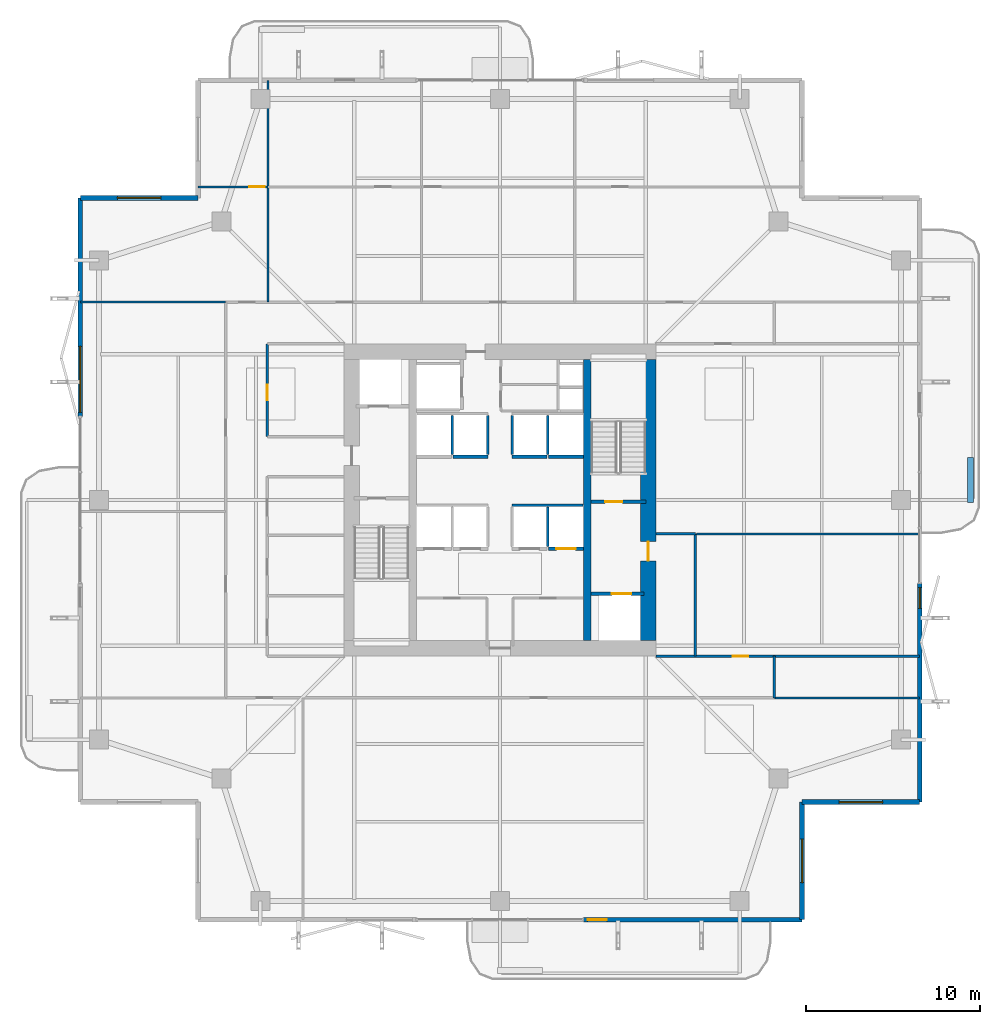
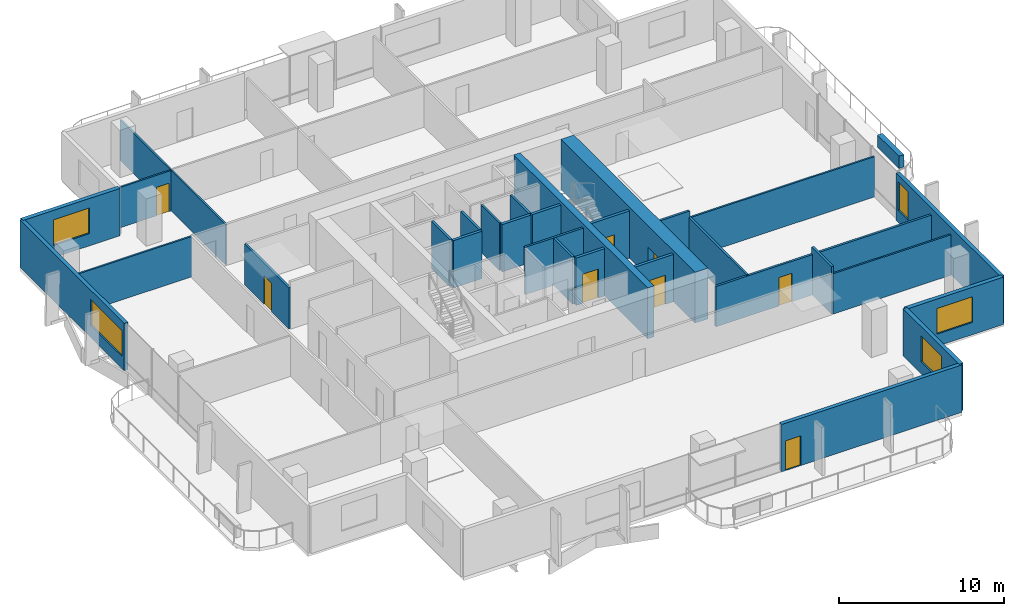
# One storey, part 19 of 25: 31 walls, 8 doors, 5 windows, 13 openings.
"""IFC4 building model written with IfcOpenShell, lengths in metres."""

from ifc_helpers import new_model, si_unit, direction, frame, frame_2d, origin, place, context, subcontext, project, spatial, rectangle, extrude, material, layer, layer_set, type_object, element, fill, save


model = new_model("IFC4")

# Units and contexts
model_context = context("Model", 3, precision=1e-05, world=origin(), true_north=direction((0.0, 1.0)))
body_context = subcontext(model_context, "Body", "Model", "MODEL_VIEW")
ifc_project = project(units=[si_unit("LENGTHUNIT", "METRE"), si_unit("AREAUNIT", "SQUARE_METRE"), si_unit("VOLUMEUNIT", "CUBIC_METRE"), si_unit("PLANEANGLEUNIT", "RADIAN"), si_unit("MASSUNIT", "GRAM", prefix="KILO")], contexts=[model_context])

# Site, building, storey
site_placement = place(None, origin())
site = spatial("IfcSite", under=ifc_project, at=site_placement, CompositionType="ELEMENT")
building_placement = place(site_placement, origin())
building = spatial("IfcBuilding", under=site, at=building_placement, Name="Belovzor Exchange Tower", CompositionType="ELEMENT")
storey_placement = place(building_placement, frame((0.0, 0.0, 164.550048828125)))
storey = spatial("IfcBuildingStorey", under=building, at=storey_placement, Name="L40", CompositionType="ELEMENT", Elevation=164.550048828125)

# Wall, opening, door
ifc_material_1 = material(Name="Acoustic Plasterboard on Galvanised Studs", Category="gypsum")
ifc_layer_1 = layer(ifc_material_1, 0.1201171875)
ifc_layer_set_1 = layer_set([ifc_layer_1], Name="Acoustic Plasterboard on Galvanised Studs")
wall_type_1 = type_object("IfcWallType", Name="Acoustic Double-Stud Partition Wall 120", PredefinedType="PARTITIONING", material=ifc_layer_set_1)
wall_1_placement = place(storey_placement, frame((11.39990234375, 46.833984375, 0.0), z_axis=(0.0, 0.0, 1.0), x_axis=(1.0, 0.0, 0.0)))
wall_1 = element("IfcWall", 1, at=wall_1_placement, inside=storey, type_object=wall_type_1, Name="W-P120 Partition Wall W-L40-NHDIV-0", PredefinedType="PARTITIONING", context=body_context, shape_type="SweptSolid", body=[
    extrude(rectangle(XDim=4.043212890625, YDim=0.1201171875, at=frame_2d((2.021484375, 0.0))), origin(), (0.0, 0.0, 1.0), 2.97998046875),
])
opening_1_placement = place(wall_1_placement, frame((2.943115234375, 0.0, 0.0)))
opening_1 = element("IfcOpeningElement", 2, at=opening_1_placement, cuts=wall_1, Name="Opening D-INT-090", PredefinedType="OPENING", context=body_context, shape_type="SweptSolid", body=[
    extrude(rectangle(XDim=0.89990234375, YDim=2.10009765625, at=frame_2d((0.449951171875, 1.050048828125))), frame((0.0, 0.070068359375, 0.0), z_axis=(0.0, -1.0, 0.0), x_axis=(1.0, 0.0, 0.0)), (0.0, 0.0, 1.0), 0.14013671875),
])
ifc_material_2 = material(Name="Veneered Hardwood Acoustic Leaf", Category="wood")
door_type_1 = type_object("IfcDoorType", Name="Trading Suite Acoustic Single Door 900x2100", OperationType="NOTDEFINED", PredefinedType="DOOR", material=ifc_material_2)
door_1_placement = place(opening_1_placement, origin())
door_1 = element("IfcDoor", 3, at=door_1_placement, inside=storey, type_object=door_type_1, Name="D-INT-090 Trading Suite Acoustic Single Door 900x2100", OperationType="SINGLE_SWING_RIGHT", OverallHeight=2.10009765625, OverallWidth=0.89990234375, PredefinedType="DOOR", context=body_context, shape_type="SweptSolid", body=[
    extrude(rectangle(XDim=0.89990234375, YDim=2.10009765625, at=frame_2d((0.449951171875, 1.050048828125))), frame((0.0, 0.02490234375, 0.0), z_axis=(0.0, -1.0, 0.0), x_axis=(1.0, 0.0, 0.0)), (0.0, 0.0, 1.0), 0.050048828125),
])
fill(opening_1, door_1)

# Walls
wall_2_placement = place(storey_placement, frame((15.443115234375, 40.199951171875, 0.0), z_axis=(0.0, 0.0, 1.0), x_axis=(0.0, 1.0, 0.0)))
element("IfcWall", 4, at=wall_2_placement, inside=storey, type_object=wall_type_1, Name="W-P120 Partition Wall W-L40-NDIV-1", PredefinedType="PARTITIONING", context=body_context, shape_type="SweptSolid", body=[
    extrude(rectangle(XDim=12.77001953125, YDim=0.1201171875, at=frame_2d((6.385009765625, 0.0))), origin(), (0.0, 0.0, 1.0), 2.97998046875),
])
wall_3_placement = place(storey_placement, frame((40.125, 26.85009765625, 0.0), z_axis=(0.0, 0.0, 1.0), x_axis=(1.0, 0.0, 0.0)))
element("IfcWall", 5, at=wall_3_placement, inside=storey, type_object=wall_type_1, Name="W-P120 Partition Wall W-L40-EDIV-1", PredefinedType="PARTITIONING", context=body_context, shape_type="SweptSolid", body=[
    extrude(rectangle(XDim=12.844970703125, YDim=0.1201171875, at=frame_2d((6.42236328125, 0.0))), origin(), (0.0, 0.0, 1.0), 2.97998046875),
])
wall_4_placement = place(storey_placement, frame((44.60009765625, 17.39990234375, 0.0), z_axis=(0.0, 0.0, 1.0), x_axis=(1.0, 0.0, 0.0)))
element("IfcWall", 6, at=wall_4_placement, inside=storey, type_object=wall_type_1, Name="W-P120 Partition Wall W-L40-END-SE", PredefinedType="PARTITIONING", context=body_context, shape_type="SweptSolid", body=[
    extrude(rectangle(XDim=8.369873046875, YDim=0.1201171875, at=frame_2d((4.18505859375, 0.0))), origin(), (0.0, 0.0, 1.0), 2.97998046875),
])
wall_5_placement = place(storey_placement, frame((4.6298828125, 40.199951171875, 0.0), z_axis=(0.0, 0.0, 1.0), x_axis=(1.0, 0.0, 0.0)))
element("IfcWall", 7, at=wall_5_placement, inside=storey, type_object=wall_type_1, Name="W-P120 Partition Wall W-L40-END-NW", PredefinedType="PARTITIONING", context=body_context, shape_type="SweptSolid", body=[
    extrude(rectangle(XDim=8.3701171875, YDim=0.1201171875, at=frame_2d((4.18505859375, 0.0))), origin(), (0.0, 0.0, 1.0), 2.97998046875),
])

# Wall, opening, door
ifc_material_3 = material(Name="Fire-Rated Gypsum Block and Mineral Wool", Category="gypsum")
ifc_layer_2 = layer(ifc_material_3, 0.14990234375)
ifc_layer_set_2 = layer_set([ifc_layer_2], Name="Fire-Rated Gypsum Block and Mineral Wool")
wall_type_2 = type_object("IfcWallType", Name="Fire-Rated Gypsum Block Corridor Wall 150", PredefinedType="PARTITIONING", material=ifc_layer_set_2)
wall_6_placement = place(storey_placement, frame((15.39990234375, 32.449951171875, 0.0), z_axis=(0.0, 0.0, 1.0), x_axis=(0.0, 1.0, 0.0)))
wall_6 = element("IfcWall", 8, at=wall_6_placement, inside=storey, type_object=wall_type_2, Name="W-P150 Partition Wall W-L40-WIE-N", PredefinedType="PARTITIONING", context=body_context, shape_type="SweptSolid", body=[
    extrude(rectangle(XDim=5.35009765625, YDim=0.14990234375, at=frame_2d((2.675048828125, 0.0))), origin(), (0.0, 0.0, 1.0), 3.030029296875),
])
opening_2_placement = place(wall_6_placement, frame((2.10009765625, 0.0, 0.0)))
opening_2 = element("IfcOpeningElement", 9, at=opening_2_placement, cuts=wall_6, Name="Opening D-FD60-090", PredefinedType="OPENING", context=body_context, shape_type="SweptSolid", body=[
    extrude(rectangle(XDim=0.89990234375, YDim=2.10009765625, at=frame_2d((0.449951171875, 1.050048828125))), frame((0.0, 0.0849609375, 0.0), z_axis=(0.0, -1.0, 0.0), x_axis=(1.0, 0.0, 0.0)), (0.0, 0.0, 1.0), 0.169921875),
])
ifc_material_4 = material(Name="Acoustic Timber Fire Leaf", Category="wood")
door_type_2 = type_object("IfcDoorType", Name="Core Service & Restroom Fire Door 900x2100", OperationType="NOTDEFINED", PredefinedType="DOOR", material=ifc_material_4)
door_2_placement = place(opening_2_placement, origin())
door_2 = element("IfcDoor", 10, at=door_2_placement, inside=storey, type_object=door_type_2, Name="D-FD60-090 Core Service & Restroom Fire Door 900x2100", OperationType="SINGLE_SWING_LEFT", OverallHeight=2.10009765625, OverallWidth=0.89990234375, PredefinedType="DOOR", context=body_context, shape_type="SweptSolid", body=[
    extrude(rectangle(XDim=0.89990234375, YDim=2.10009765625, at=frame_2d((0.449951171875, 1.050048828125))), frame((0.0, 0.02490234375, 0.0), z_axis=(0.0, -1.0, 0.0), x_axis=(1.0, 0.0, 0.0)), (0.0, 0.0, 1.0), 0.050048828125),
])
fill(opening_2, door_2)

# Walls
wall_7_placement = place(storey_placement, frame((37.800048828125, 26.85009765625, 0.0), z_axis=(0.0, 0.0, 1.0), x_axis=(1.0, 0.0, 0.0)))
element("IfcWall", 11, at=wall_7_placement, inside=storey, type_object=wall_type_2, Name="W-P150 Partition Wall W-L40-CFE-N", PredefinedType="PARTITIONING", context=body_context, shape_type="SweptSolid", body=[
    extrude(rectangle(XDim=2.25, YDim=0.14990234375, at=frame_2d((1.125, 0.0))), origin(), (0.0, 0.0, 1.0), 3.494873046875),
])
wall_8_placement = place(storey_placement, frame((40.050048828125, 19.800048828125, 0.0), z_axis=(0.0, 0.0, 1.0), x_axis=(0.0, 1.0, 0.0)))
element("IfcWall", 12, at=wall_8_placement, inside=storey, type_object=wall_type_2, Name="W-P150 Partition Wall W-L40-CFE-E", PredefinedType="PARTITIONING", context=body_context, shape_type="SweptSolid", body=[
    extrude(rectangle(XDim=7.050048828125, YDim=0.14990234375, at=frame_2d((3.52490234375, 0.0))), origin(), (0.0, 0.0, 1.0), 3.030029296875),
])
wall_9_placement = place(storey_placement, frame((44.60009765625, 17.39990234375, 0.0), z_axis=(0.0, 0.0, 1.0), x_axis=(0.0, 1.0, 0.0)))
element("IfcWall", 13, at=wall_9_placement, inside=storey, type_object=wall_type_2, Name="W-P150 Partition Wall W-L40-END-ES", PredefinedType="PARTITIONING", context=body_context, shape_type="SweptSolid", body=[
    extrude(rectangle(XDim=2.400146484375, YDim=0.14990234375, at=frame_2d((1.2001953125, 0.0))), origin(), (0.0, 0.0, 1.0), 3.494873046875),
])

# Wall, opening, door
wall_10_placement = place(storey_placement, frame((37.800048828125, 19.800048828125, 0.0), z_axis=(0.0, 0.0, 1.0), x_axis=(1.0, 0.0, 0.0)))
wall_10 = element("IfcWall", 14, at=wall_10_placement, inside=storey, type_object=wall_type_2, Name="W-P150 Partition Wall W-L40-CS-IN", PredefinedType="PARTITIONING", context=body_context, shape_type="SweptSolid", body=[
    extrude(rectangle(XDim=15.169921875, YDim=0.14990234375, at=frame_2d((7.5849609375, 0.0))), origin(), (0.0, 0.0, 1.0), 2.97998046875),
])
opening_3_placement = place(wall_10_placement, frame((4.39990234375, 0.0, 0.0)))
opening_3 = element("IfcOpeningElement", 15, at=opening_3_placement, cuts=wall_10, Name="Opening D-INT-090", PredefinedType="OPENING", context=body_context, shape_type="SweptSolid", body=[
    extrude(rectangle(XDim=0.89990234375, YDim=2.10009765625, at=frame_2d((0.449951171875, 1.050048828125))), frame((0.0, 0.0849609375, 0.0), z_axis=(0.0, -1.0, 0.0), x_axis=(1.0, 0.0, 0.0)), (0.0, 0.0, 1.0), 0.169921875),
])
door_3_placement = place(opening_3_placement, origin())
door_3 = element("IfcDoor", 16, at=door_3_placement, inside=storey, type_object=door_type_1, Name="D-INT-090 Trading Suite Acoustic Single Door 900x2100", OperationType="SINGLE_SWING_LEFT", OverallHeight=2.10009765625, OverallWidth=0.89990234375, PredefinedType="DOOR", context=body_context, shape_type="SweptSolid", body=[
    extrude(rectangle(XDim=0.89990234375, YDim=2.10009765625, at=frame_2d((0.449951171875, 1.050048828125))), frame((0.0, 0.02490234375, 0.0), z_axis=(0.0, -1.0, 0.0), x_axis=(1.0, 0.0, 0.0)), (0.0, 0.0, 1.0), 0.050048828125),
])
fill(opening_3, door_3)

# Wall, opening, window
ifc_material_5 = material(Name="Precast concrete C40/50", Category="concrete")
ifc_layer_3 = layer(ifc_material_5, 0.280029296875)
ifc_layer_set_3 = layer_set([ifc_layer_3], Name="Precast concrete C40/50")
wall_type_3 = type_object("IfcWallType", Name="Precast Concrete Notched Corner Frame Wall 280", PredefinedType="SOLIDWALL", material=ifc_layer_set_3)
wall_11_placement = place(storey_placement, frame((4.6298828125, 46.199951171875, 0.0), z_axis=(0.0, 0.0, 1.0), x_axis=(1.0, 0.0, 0.0)))
wall_11 = element("IfcWall", 17, at=wall_11_placement, inside=storey, type_object=wall_type_3, Name="W-CRN280 Precast Concrete Notched Corner Frame Wall 280 L40", PredefinedType="SOLIDWALL", context=body_context, shape_type="SweptSolid", body=[
    extrude(rectangle(XDim=6.77001953125, YDim=0.280029296875, at=frame_2d((3.385009765625, 0.0))), origin(), (0.0, 0.0, 1.0), 3.494873046875),
])
opening_4_placement = place(wall_11_placement, frame((2.135009765625, 0.0, 0.89990234375)))
opening_4 = element("IfcOpeningElement", 18, at=opening_4_placement, cuts=wall_11, Name="Opening WN-CRN250", PredefinedType="OPENING", context=body_context, shape_type="SweptSolid", body=[
    extrude(rectangle(XDim=2.5, YDim=1.89990234375, at=frame_2d((1.25, 0.949951171875))), frame((0.0, 0.14990234375, 0.0), z_axis=(0.0, -1.0, 0.0), x_axis=(1.0, 0.0, 0.0)), (0.0, 0.0, 1.0), 0.300048828125),
])
ifc_material_6 = material(Name="Thermally Broken Aluminium and Triple Glazing", Category="aluminium")
window_type_1 = type_object("IfcWindowType", Name="Streamline Moderne Corner Wrap Ribbon Window 2500x1900", PartitioningType="SINGLE_PANEL", PredefinedType="WINDOW", material=ifc_material_6)
window_1_placement = place(opening_4_placement, origin())
window_1 = element("IfcWindow", 19, at=window_1_placement, inside=storey, type_object=window_type_1, Name="WN-CRN250 Streamline Moderne Corner Wrap Ribbon Window 2500x1900", OverallHeight=1.89990234375, OverallWidth=2.5, PartitioningType="SINGLE_PANEL", PredefinedType="WINDOW", context=body_context, shape_type="SweptSolid", body=[
    extrude(rectangle(XDim=2.5, YDim=1.89990234375, at=frame_2d((1.25, 0.949951171875))), frame((0.0, 0.030029296875, 0.0), z_axis=(0.0, -1.0, 0.0), x_axis=(1.0, 0.0, 0.0)), (0.0, 0.0, 1.0), 0.06005859375),
])
fill(opening_4, window_1)

wall_12_placement = place(storey_placement, frame((52.969970703125, 11.39990234375, 0.0), z_axis=(0.0, 0.0, 1.0), x_axis=(-1.0, 0.0, 0.0)))
wall_12 = element("IfcWall", 20, at=wall_12_placement, inside=storey, type_object=wall_type_3, Name="W-CRN280 Precast Concrete Notched Corner Frame Wall 280 L40", PredefinedType="SOLIDWALL", context=body_context, shape_type="SweptSolid", body=[
    extrude(rectangle(XDim=6.77001953125, YDim=0.280029296875, at=frame_2d((3.385009765625, 0.0))), origin(), (0.0, 0.0, 1.0), 3.494873046875),
])
opening_5_placement = place(wall_12_placement, frame((2.135009765625, 0.0, 0.89990234375)))
opening_5 = element("IfcOpeningElement", 21, at=opening_5_placement, cuts=wall_12, Name="Opening WN-CRN250", PredefinedType="OPENING", context=body_context, shape_type="SweptSolid", body=[
    extrude(rectangle(XDim=2.5, YDim=1.89990234375, at=frame_2d((1.25, 0.949951171875))), frame((0.0, 0.14990234375, 0.0), z_axis=(0.0, -1.0, 0.0), x_axis=(1.0, 0.0, 0.0)), (0.0, 0.0, 1.0), 0.300048828125),
])
window_2_placement = place(opening_5_placement, origin())
window_2 = element("IfcWindow", 22, at=window_2_placement, inside=storey, type_object=window_type_1, Name="WN-CRN250 Streamline Moderne Corner Wrap Ribbon Window 2500x1900", OverallHeight=1.89990234375, OverallWidth=2.5, PartitioningType="SINGLE_PANEL", PredefinedType="WINDOW", context=body_context, shape_type="SweptSolid", body=[
    extrude(rectangle(XDim=2.5, YDim=1.89990234375, at=frame_2d((1.25, 0.949951171875))), frame((0.0, 0.030029296875, 0.0), z_axis=(0.0, -1.0, 0.0), x_axis=(1.0, 0.0, 0.0)), (0.0, 0.0, 1.0), 0.06005859375),
])
fill(opening_5, window_2)

wall_13_placement = place(storey_placement, frame((46.199951171875, 11.39990234375, 0.0), z_axis=(0.0, 0.0, 1.0), x_axis=(0.0, -1.0, 0.0)))
wall_13 = element("IfcWall", 23, at=wall_13_placement, inside=storey, type_object=wall_type_3, Name="W-CRN280 Precast Concrete Notched Corner Frame Wall 280 L40", PredefinedType="SOLIDWALL", context=body_context, shape_type="SweptSolid", body=[
    extrude(rectangle(XDim=6.77001953125, YDim=0.280029296875, at=frame_2d((3.385009765625, 0.0))), origin(), (0.0, 0.0, 1.0), 3.494873046875),
])
opening_6_placement = place(wall_13_placement, frame((2.135009765625, 0.0, 0.89990234375)))
opening_6 = element("IfcOpeningElement", 24, at=opening_6_placement, cuts=wall_13, Name="Opening WN-CRN250", PredefinedType="OPENING", context=body_context, shape_type="SweptSolid", body=[
    extrude(rectangle(XDim=2.5, YDim=1.89990234375, at=frame_2d((1.25, 0.949951171875))), frame((0.0, 0.14990234375, 0.0), z_axis=(0.0, -1.0, 0.0), x_axis=(1.0, 0.0, 0.0)), (0.0, 0.0, 1.0), 0.300048828125),
])
window_3_placement = place(opening_6_placement, origin())
window_3 = element("IfcWindow", 25, at=window_3_placement, inside=storey, type_object=window_type_1, Name="WN-CRN250 Streamline Moderne Corner Wrap Ribbon Window 2500x1900", OverallHeight=1.89990234375, OverallWidth=2.5, PartitioningType="SINGLE_PANEL", PredefinedType="WINDOW", context=body_context, shape_type="SweptSolid", body=[
    extrude(rectangle(XDim=2.5, YDim=1.89990234375, at=frame_2d((1.25, 0.949951171875))), frame((0.0, 0.030029296875, 0.0), z_axis=(0.0, -1.0, 0.0), x_axis=(1.0, 0.0, 0.0)), (0.0, 0.0, 1.0), 0.06005859375),
])
fill(opening_6, window_3)

# Wall, opening, door
ifc_material_7 = material(Name="Precast concrete C40/50", Category="concrete")
ifc_layer_4 = layer(ifc_material_7, 0.260009765625)
ifc_layer_set_4 = layer_set([ifc_layer_4], Name="Precast concrete C40/50")
wall_type_4 = type_object("IfcWallType", Name="Precast Concrete Perimeter Loggia Frame Wall 260", PredefinedType="SOLIDWALL", material=ifc_layer_set_4)
wall_14_placement = place(storey_placement, frame((46.199951171875, 4.6298828125, 0.0), z_axis=(0.0, 0.0, 1.0), x_axis=(-1.0, 0.0, 0.0)))
wall_14 = element("IfcWall", 26, at=wall_14_placement, inside=storey, type_object=wall_type_4, Name="W-EXT260 Precast Concrete Perimeter Loggia Frame Wall 260 L40", PredefinedType="SOLIDWALL", context=body_context, shape_type="SweptSolid", body=[
    extrude(rectangle(XDim=12.599853515625, YDim=0.260009765625, at=frame_2d((6.2998046875, 0.0))), origin(), (0.0, 0.0, 1.0), 3.494873046875),
])
opening_7_placement = place(wall_14_placement, frame((11.25, 0.0, 0.0)))
opening_7 = element("IfcOpeningElement", 27, at=opening_7_placement, cuts=wall_14, Name="Opening D-BAL110", PredefinedType="OPENING", context=body_context, shape_type="SweptSolid", body=[
    extrude(rectangle(XDim=1.10009765625, YDim=2.199951171875, at=frame_2d((0.550048828125, 1.10009765625))), frame((0.0, 0.139892578125, 0.0), z_axis=(0.0, -1.0, 0.0), x_axis=(1.0, 0.0, 0.0)), (0.0, 0.0, 1.0), 0.280029296875),
])
ifc_material_8 = material(Name="Thermally Broken Anodised Aluminium and Laminated Glass", Category="aluminium")
door_type_3 = type_object("IfcDoorType", Name="Planted Loggia Terrace Glazed Door 1100x2200", OperationType="SINGLE_SWING_LEFT", PredefinedType="DOOR", material=ifc_material_8)
door_4_placement = place(opening_7_placement, origin())
door_4 = element("IfcDoor", 28, at=door_4_placement, inside=storey, type_object=door_type_3, Name="D-BAL110 Balcony Terrace Door L40 S", OperationType="SINGLE_SWING_LEFT", OverallHeight=2.199951171875, OverallWidth=1.10009765625, PredefinedType="DOOR", context=body_context, shape_type="SweptSolid", body=[
    extrude(rectangle(XDim=1.10009765625, YDim=2.199951171875, at=frame_2d((0.550048828125, 1.10009765625))), frame((0.0, 0.02490234375, 0.0), z_axis=(0.0, -1.0, 0.0), x_axis=(1.0, 0.0, 0.0)), (0.0, 0.0, 1.0), 0.050048828125),
])
fill(opening_7, door_4)

# Wall, opening, window
wall_15_placement = place(storey_placement, frame((4.6298828125, 33.60009765625, 0.0), z_axis=(0.0, 0.0, 1.0), x_axis=(0.0, 1.0, 0.0)))
wall_15 = element("IfcWall", 29, at=wall_15_placement, inside=storey, type_object=wall_type_4, Name="W-EXT260 Precast Concrete Perimeter Loggia Frame Wall 260 L40", PredefinedType="SOLIDWALL", context=body_context, shape_type="SweptSolid", body=[
    extrude(rectangle(XDim=12.599853515625, YDim=0.260009765625, at=frame_2d((6.2998046875, 0.0))), origin(), (0.0, 0.0, 1.0), 3.494873046875),
])
opening_8_placement = place(wall_15_placement, frame((0.25, 0.0, 0.89990234375)))
opening_8 = element("IfcOpeningElement", 30, at=opening_8_placement, cuts=wall_15, Name="Opening WN-RIB380", PredefinedType="OPENING", context=body_context, shape_type="SweptSolid", body=[
    extrude(rectangle(XDim=3.800048828125, YDim=1.89990234375, at=frame_2d((1.89990234375, 0.949951171875))), frame((0.0, 0.139892578125, 0.0), z_axis=(0.0, -1.0, 0.0), x_axis=(1.0, 0.0, 0.0)), (0.0, 0.0, 1.0), 0.280029296875),
])
ifc_material_9 = material(Name="Thermally Broken Aluminium and Triple Glazing", Category="aluminium")
window_type_2 = type_object("IfcWindowType", Name="Streamline Moderne Horizontal Ribbon Window 3800x1900", PartitioningType="SINGLE_PANEL", PredefinedType="WINDOW", material=ifc_material_9)
window_4_placement = place(opening_8_placement, origin())
window_4 = element("IfcWindow", 31, at=window_4_placement, inside=storey, type_object=window_type_2, Name="WN-RIB380 Streamline Moderne Horizontal Ribbon Window 3800x1900", OverallHeight=1.89990234375, OverallWidth=3.800048828125, PartitioningType="SINGLE_PANEL", PredefinedType="WINDOW", context=body_context, shape_type="SweptSolid", body=[
    extrude(rectangle(XDim=3.800048828125, YDim=1.89990234375, at=frame_2d((1.89990234375, 0.949951171875))), frame((0.0, 0.030029296875, 0.0), z_axis=(0.0, -1.0, 0.0), x_axis=(1.0, 0.0, 0.0)), (0.0, 0.0, 1.0), 0.06005859375),
])
fill(opening_8, window_4)

wall_16_placement = place(storey_placement, frame((52.969970703125, 24.0, 0.0), z_axis=(0.0, 0.0, 1.0), x_axis=(0.0, -1.0, 0.0)))
wall_16 = element("IfcWall", 32, at=wall_16_placement, inside=storey, type_object=wall_type_4, Name="W-EXT260 Precast Concrete Perimeter Loggia Frame Wall 260 L40", PredefinedType="SOLIDWALL", context=body_context, shape_type="SweptSolid", body=[
    extrude(rectangle(XDim=12.60009765625, YDim=0.260009765625, at=frame_2d((6.300048828125, 0.0))), origin(), (0.0, 0.0, 1.0), 3.494873046875),
])
opening_9_placement = place(wall_16_placement, frame((0.25, 0.0, 0.89990234375)))
opening_9 = element("IfcOpeningElement", 33, at=opening_9_placement, cuts=wall_16, Name="Opening WN-CRN120", PredefinedType="OPENING", context=body_context, shape_type="SweptSolid", body=[
    extrude(rectangle(XDim=1.199951171875, YDim=2.10009765625, at=frame_2d((0.60009765625, 1.050048828125))), frame((0.0, 0.139892578125, 0.0), z_axis=(0.0, -1.0, 0.0), x_axis=(1.0, 0.0, 0.0)), (0.0, 0.0, 1.0), 0.280029296875),
])
ifc_material_10 = material(Name="Thermally Broken Aluminium and Triple Glazing", Category="aluminium")
window_type_3 = type_object("IfcWindowType", Name="Streamline Notched Corner Window 1200x2100", PartitioningType="SINGLE_PANEL", PredefinedType="WINDOW", material=ifc_material_10)
window_5_placement = place(opening_9_placement, origin())
window_5 = element("IfcWindow", 34, at=window_5_placement, inside=storey, type_object=window_type_3, Name="WN-CRN120 Streamline Notched Corner Window 1200x2100", OverallHeight=2.10009765625, OverallWidth=1.199951171875, PartitioningType="SINGLE_PANEL", PredefinedType="WINDOW", context=body_context, shape_type="SweptSolid", body=[
    extrude(rectangle(XDim=1.199951171875, YDim=2.10009765625, at=frame_2d((0.60009765625, 1.050048828125))), frame((0.0, 0.030029296875, 0.0), z_axis=(0.0, -1.0, 0.0), x_axis=(1.0, 0.0, 0.0)), (0.0, 0.0, 1.0), 0.06005859375),
])
fill(opening_9, window_5)

# Walls
ifc_material_11 = material(Name="Precast concrete C40/50", Category="concrete")
ifc_layer_5 = layer(ifc_material_11, 0.35009765625)
ifc_layer_set_5 = layer_set([ifc_layer_5], Name="Precast concrete C40/50")
wall_type_5 = type_object("IfcWallType", Name="Precast Concrete Structural Tree Planter Trough 350", PredefinedType="PARAPET", material=ifc_layer_set_5)
wall_17_placement = place(storey_placement, frame((55.89990234375, 28.64990234375, 0.0), z_axis=(0.0, 0.0, 1.0), x_axis=(0.0, 1.0, 0.0)))
element("IfcWall", 35, at=wall_17_placement, inside=storey, type_object=wall_type_5, Name="PT-350 Precast Concrete Structural Tree Planter Trough 350 L40", PredefinedType="PARAPET", context=body_context, shape_type="SweptSolid", body=[
    extrude(rectangle(XDim=2.60009765625, YDim=0.35009765625, at=frame_2d((1.300048828125, 0.0))), origin(), (0.0, 0.0, 1.0), 0.89990234375),
])
ifc_material_12 = material(Name="Concrete C50/60", Category="concrete")
ifc_layer_6 = layer(ifc_material_12, 0.449951171875)
ifc_layer_set_6 = layer_set([ifc_layer_6], Name="Concrete C50/60")
wall_type_6 = type_object("IfcWallType", Name="Reinforced Concrete Core Internal Web Wall 450", PredefinedType="SHEAR", material=ifc_layer_set_6)
wall_18_placement = place(storey_placement, frame((33.824951171875, 20.699951171875, 0.0), z_axis=(0.0, 0.0, 1.0), x_axis=(0.0, 1.0, 0.0)))
element("IfcWall", 36, at=wall_18_placement, inside=storey, type_object=wall_type_6, Name="CW-W045 Core Internal Web Wall L40 ER", PredefinedType="SHEAR", context=body_context, shape_type="SweptSolid", body=[
    extrude(rectangle(XDim=16.199951171875, YDim=0.449951171875, at=frame_2d((8.10009765625, 0.0))), origin(), (0.0, 0.0, 1.0), 3.75),
])
ifc_material_13 = material(Name="Concrete C50/60", Category="concrete")
ifc_layer_7 = layer(ifc_material_13, 0.14990234375)
ifc_layer_set_7 = layer_set([ifc_layer_7], Name="Concrete C50/60")
wall_type_7 = type_object("IfcWallType", Name="Reinforced Concrete Core Riser Shear Wall 150", PredefinedType="SHEAR", material=ifc_layer_set_7)
wall_19_placement = place(storey_placement, frame((29.5, 28.5, 0.0), z_axis=(0.0, 0.0, 1.0), x_axis=(1.0, 0.0, 0.0)))
element("IfcWall", 37, at=wall_19_placement, inside=storey, type_object=wall_type_7, Name="W-C150S Core Shaft Wall W-SHB-L40-PLM-NE", PredefinedType="SHEAR", context=body_context, shape_type="SweptSolid", body=[
    extrude(rectangle(XDim=4.080078125, YDim=0.14990234375, at=frame_2d((2.0400390625, 0.0))), origin(), (0.0, 0.0, 1.0), 3.494873046875),
])
wall_20_placement = place(storey_placement, frame((31.550048828125, 26.1201171875, 0.0), z_axis=(0.0, 0.0, 1.0), x_axis=(0.0, 1.0, 0.0)))
element("IfcWall", 38, at=wall_20_placement, inside=storey, type_object=wall_type_7, Name="W-C150S Core Shaft Wall W-SHD-L40-PLM-4", PredefinedType="SHEAR", context=body_context, shape_type="SweptSolid", body=[
    extrude(rectangle(XDim=2.27978515625, YDim=0.14990234375, at=frame_2d((1.139892578125, 0.0))), origin(), (0.0, 0.0, 1.0), 3.494873046875),
])
for number, where, z_axis, x_axis, name in (
    (39, (26.050048828125, 31.419921875, 0.0), (0.0, 0.0, 1.0), (0.0, 1.0, 0.0), "W-C150S Core Shaft Wall W-SHD-L40-PLH-1"),
    (40, (28.10009765625, 31.419921875, 0.0), (0.0, 0.0, 1.0), (0.0, 1.0, 0.0), "W-C150S Core Shaft Wall W-SHD-L40-PLH-2"),
    (41, (29.5, 31.419921875, 0.0), (0.0, 0.0, 1.0), (0.0, 1.0, 0.0), "W-C150S Core Shaft Wall W-SHD-L40-PLH-3"),
    (42, (31.550048828125, 31.419921875, 0.0), (0.0, 0.0, 1.0), (0.0, 1.0, 0.0), "W-C150S Core Shaft Wall W-SHD-L40-PLH-4"),
):
    element("IfcWall", number, at=place(storey_placement, frame(where, z_axis=z_axis, x_axis=x_axis)), inside=storey, type_object=wall_type_7, Name=name, PredefinedType="SHEAR", context=body_context, shape_type="SweptSolid", body=[
        extrude(rectangle(XDim=2.239990234375, YDim=0.14990234375, at=frame_2d((1.1201171875, 0.0))), origin(), (0.0, 0.0, 1.0), 3.494873046875),
    ])

# Wall, opening, door
ifc_material_14 = material(Name="Concrete C50/60", Category="concrete")
ifc_layer_8 = layer(ifc_material_14, 0.199951171875)
ifc_layer_set_8 = layer_set([ifc_layer_8], Name="Concrete C50/60")
wall_type_8 = type_object("IfcWallType", Name="Reinforced Concrete Core Shaft Shear Wall 200", PredefinedType="SHEAR", material=ifc_layer_set_8)
wall_21_placement = place(storey_placement, frame((34.050048828125, 28.699951171875, 0.0), z_axis=(0.0, 0.0, 1.0), x_axis=(1.0, 0.0, 0.0)))
wall_21 = element("IfcWall", 43, at=wall_21_placement, inside=storey, type_object=wall_type_8, Name="W-C200S Core Shaft Wall W-CORE-L40-FFLE2", PredefinedType="SHEAR", context=body_context, shape_type="SweptSolid", body=[
    extrude(rectangle(XDim=3.14990234375, YDim=0.199951171875, at=frame_2d((1.574951171875, 0.0))), origin(), (0.0, 0.0, 1.0), 3.494873046875),
])
opening_10_placement = place(wall_21_placement, frame((0.800048828125, 0.0, 0.0)))
opening_10 = element("IfcOpeningElement", 44, at=opening_10_placement, cuts=wall_21, Name="Opening D-FD90-100", PredefinedType="OPENING", context=body_context, shape_type="SweptSolid", body=[
    extrude(rectangle(XDim=1.0, YDim=2.10009765625, at=frame_2d((0.5, 1.050048828125))), frame((0.0, 0.10986328125, 0.0), z_axis=(0.0, -1.0, 0.0), x_axis=(1.0, 0.0, 0.0)), (0.0, 0.0, 1.0), 0.219970703125),
])
ifc_material_15 = material(Name="Fire-Rated Galvanised Steel Leaf", Category="steel")
door_type_4 = type_object("IfcDoorType", Name="Protected Stairwell Single Fire Door 1000x2100", OperationType="NOTDEFINED", PredefinedType="DOOR", material=ifc_material_15)
door_5_placement = place(opening_10_placement, origin())
door_5 = element("IfcDoor", 45, at=door_5_placement, inside=storey, type_object=door_type_4, Name="D-FD90-100 Protected Stairwell Single Fire Door 1000x2100", OperationType="SINGLE_SWING_LEFT", OverallHeight=2.10009765625, OverallWidth=1.0, PredefinedType="DOOR", context=body_context, shape_type="SweptSolid", body=[
    extrude(rectangle(XDim=1.0, YDim=2.10009765625, at=frame_2d((0.5, 1.050048828125))), frame((0.0, 0.02490234375, 0.0), z_axis=(0.0, -1.0, 0.0), x_axis=(1.0, 0.0, 0.0)), (0.0, 0.0, 1.0), 0.050048828125),
])
fill(opening_10, door_5)

wall_22_placement = place(storey_placement, frame((34.050048828125, 23.39990234375, 0.0), z_axis=(0.0, 0.0, 1.0), x_axis=(1.0, 0.0, 0.0)))
wall_22 = element("IfcWall", 46, at=wall_22_placement, inside=storey, type_object=wall_type_8, Name="W-C200S Core Shaft Wall W-SH-L40-FFL-02", PredefinedType="SHEAR", context=body_context, shape_type="SweptSolid", body=[
    extrude(rectangle(XDim=3.050048828125, YDim=0.199951171875, at=frame_2d((1.52490234375, 0.0))), origin(), (0.0, 0.0, 1.0), 3.494873046875),
])
opening_11_placement = place(wall_22_placement, frame((1.199951171875, 0.0, 0.0)))
opening_11 = element("IfcOpeningElement", 47, at=opening_11_placement, cuts=wall_22, Name="Opening LD-110", PredefinedType="OPENING", context=body_context, shape_type="SweptSolid", body=[
    extrude(rectangle(XDim=1.10009765625, YDim=2.14990234375, at=frame_2d((0.550048828125, 1.074951171875))), frame((0.0, 0.10986328125, 0.0), z_axis=(0.0, -1.0, 0.0), x_axis=(1.0, 0.0, 0.0)), (0.0, 0.0, 1.0), 0.219970703125),
])
ifc_material_16 = material(Name="Stainless Steel Grade 304", Category="steel")
door_type_5 = type_object("IfcDoorType", Name="Automated Stainless Steel Lift Landing Door 1100x2150", OperationType="SLIDING_TO_RIGHT", PredefinedType="DOOR", material=ifc_material_16)
door_6_placement = place(opening_11_placement, origin())
door_6 = element("IfcDoor", 48, at=door_6_placement, inside=storey, type_object=door_type_5, Name="LD-110 Automated Stainless Steel Lift Landing Door 1100x2150", OperationType="SLIDING_TO_RIGHT", OverallHeight=2.14990234375, OverallWidth=1.10009765625, PredefinedType="DOOR", context=body_context, shape_type="SweptSolid", body=[
    extrude(rectangle(XDim=1.10009765625, YDim=2.14990234375, at=frame_2d((0.550048828125, 1.074951171875))), frame((0.0, 0.02490234375, 0.0), z_axis=(0.0, -1.0, 0.0), x_axis=(1.0, 0.0, 0.0)), (0.0, 0.0, 1.0), 0.050048828125),
])
fill(opening_11, door_6)

wall_23_placement = place(storey_placement, frame((31.60009765625, 26.0, 0.0), z_axis=(0.0, 0.0, 1.0), x_axis=(1.0, 0.0, 0.0)))
wall_23 = element("IfcWall", 49, at=wall_23_placement, inside=storey, type_object=wall_type_8, Name="W-C200S Core Shaft Wall W-SH-L40-PL-M4", PredefinedType="SHEAR", context=body_context, shape_type="SweptSolid", body=[
    extrude(rectangle(XDim=2.0, YDim=0.199951171875, at=frame_2d((1.0, 0.0))), origin(), (0.0, 0.0, 1.0), 3.494873046875),
])
opening_12_placement = place(wall_23_placement, frame((0.449951171875, 0.0, 0.0)))
opening_12 = element("IfcOpeningElement", 50, at=opening_12_placement, cuts=wall_23, Name="Opening LD-110", PredefinedType="OPENING", context=body_context, shape_type="SweptSolid", body=[
    extrude(rectangle(XDim=1.10009765625, YDim=2.14990234375, at=frame_2d((0.550048828125, 1.074951171875))), frame((0.0, 0.10986328125, 0.0), z_axis=(0.0, -1.0, 0.0), x_axis=(1.0, 0.0, 0.0)), (0.0, 0.0, 1.0), 0.219970703125),
])
door_7_placement = place(opening_12_placement, origin())
door_7 = element("IfcDoor", 51, at=door_7_placement, inside=storey, type_object=door_type_5, Name="LD-110 Automated Stainless Steel Lift Landing Door 1100x2150", OperationType="SLIDING_TO_RIGHT", OverallHeight=2.14990234375, OverallWidth=1.10009765625, PredefinedType="DOOR", context=body_context, shape_type="SweptSolid", body=[
    extrude(rectangle(XDim=1.10009765625, YDim=2.14990234375, at=frame_2d((0.550048828125, 1.074951171875))), frame((0.0, 0.02490234375, 0.0), z_axis=(0.0, -1.0, 0.0), x_axis=(1.0, 0.0, 0.0)), (0.0, 0.0, 1.0), 0.050048828125),
])
fill(opening_12, door_7)

# Walls
for number, where, z_axis, x_axis, name in (
    (52, (26.10009765625, 31.300048828125, 0.0), (0.0, 0.0, 1.0), (1.0, 0.0, 0.0), "W-C200S Core Shaft Wall W-SH-L40-PL-H2"),
    (53, (29.5, 31.300048828125, 0.0), (0.0, 0.0, 1.0), (1.0, 0.0, 0.0), "W-C200S Core Shaft Wall W-SH-L40-PL-H3"),
    (54, (31.60009765625, 31.300048828125, 0.0), (0.0, 0.0, 1.0), (1.0, 0.0, 0.0), "W-C200S Core Shaft Wall W-SH-L40-PL-H4"),
):
    element("IfcWall", number, at=place(storey_placement, frame(where, z_axis=z_axis, x_axis=x_axis)), inside=storey, type_object=wall_type_8, Name=name, PredefinedType="SHEAR", context=body_context, shape_type="SweptSolid", body=[
        extrude(rectangle(XDim=2.0, YDim=0.199951171875, at=frame_2d((1.0, 0.0))), origin(), (0.0, 0.0, 1.0), 3.494873046875),
    ])

# Wall, opening, door
ifc_material_17 = material(Name="Concrete C60/75", Category="concrete")
ifc_layer_9 = layer(ifc_material_17, 0.89990234375)
ifc_layer_set_9 = layer_set([ifc_layer_9], Name="Concrete C60/75")
wall_type_9 = type_object("IfcWallType", Name="Reinforced Concrete Core Shear Wall 900", PredefinedType="SHEAR", material=ifc_layer_set_9)
wall_24_placement = place(storey_placement, frame((37.35009765625, 20.699951171875, 0.0), z_axis=(0.0, 0.0, 1.0), x_axis=(0.0, 1.0, 0.0)))
wall_24 = element("IfcWall", 55, at=wall_24_placement, inside=storey, type_object=wall_type_9, Name="CW-S090 Core Shear Wall L40 E", PredefinedType="SHEAR", context=body_context, shape_type="SweptSolid", body=[
    extrude(rectangle(XDim=16.199951171875, YDim=0.89990234375, at=frame_2d((8.10009765625, 0.0))), origin(), (0.0, 0.0, 1.0), 3.75),
])
opening_13_placement = place(wall_24_placement, frame((4.60009765625, 0.0, 0.0)))
opening_13 = element("IfcOpeningElement", 56, at=opening_13_placement, cuts=wall_24, Name="Opening D-FD90-110", PredefinedType="OPENING", context=body_context, shape_type="SweptSolid", body=[
    extrude(rectangle(XDim=1.10009765625, YDim=2.14990234375, at=frame_2d((0.550048828125, 1.074951171875))), frame((0.0, 0.4599609375, 0.0), z_axis=(0.0, -1.0, 0.0), x_axis=(1.0, 0.0, 0.0)), (0.0, 0.0, 1.0), 0.919921875),
])
ifc_material_18 = material(Name="Fire-Rated Galvanised Steel Leaf", Category="steel")
door_type_6 = type_object("IfcDoorType", Name="Protected Escape Vestibule Fire Door 1100x2150", OperationType="NOTDEFINED", PredefinedType="DOOR", material=ifc_material_18)
door_8_placement = place(opening_13_placement, origin())
door_8 = element("IfcDoor", 57, at=door_8_placement, inside=storey, type_object=door_type_6, Name="D-FD90-110 Protected Escape Vestibule Fire Door 1100x2150", OperationType="SINGLE_SWING_RIGHT", OverallHeight=2.14990234375, OverallWidth=1.10009765625, PredefinedType="DOOR", context=body_context, shape_type="SweptSolid", body=[
    extrude(rectangle(XDim=1.10009765625, YDim=2.14990234375, at=frame_2d((0.550048828125, 1.074951171875))), frame((0.0, 0.02490234375, 0.0), z_axis=(0.0, -1.0, 0.0), x_axis=(1.0, 0.0, 0.0)), (0.0, 0.0, 1.0), 0.050048828125),
])
fill(opening_13, door_8)

save(model, "model.ifc")
